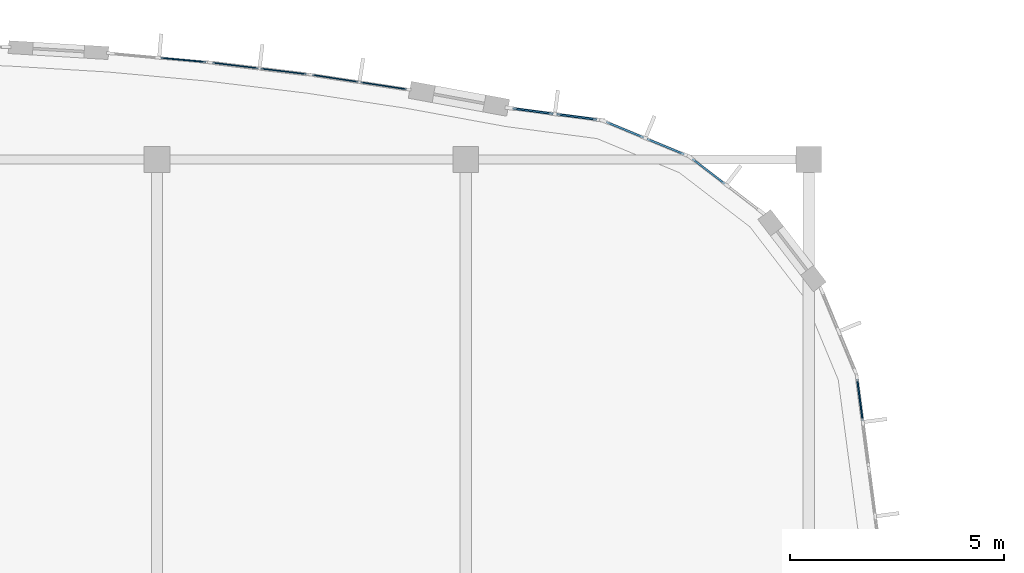
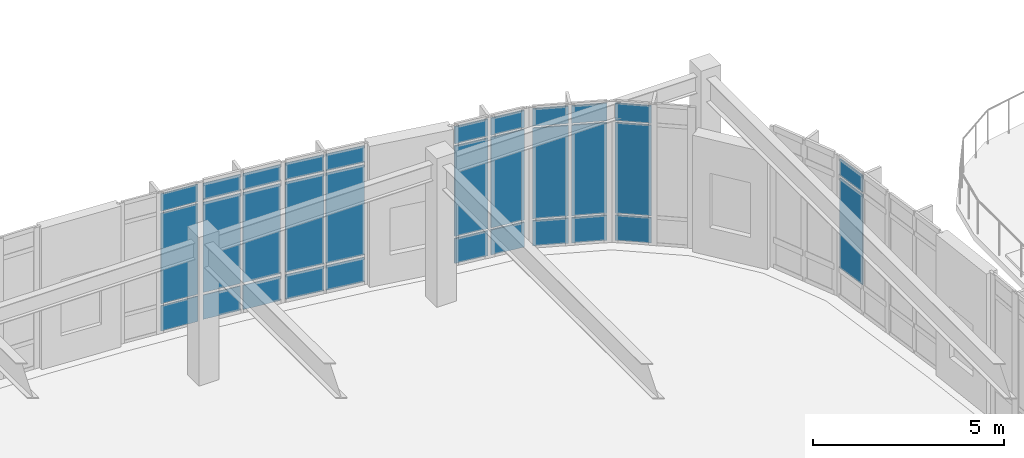
# One storey, part 79 of 120: 32 plates, 7 elements without a shape of their own.
"""IFC4 building model written with IfcOpenShell, lengths in metres."""

from ifc_helpers import new_model, si_unit, direction, frame, origin, origin_2d, place, context, subcontext, project, spatial, rectangle, extrude, material, layer, layer_set, type_object, element, aggregate, save


model = new_model("IFC4")

# Units and contexts
model_context = context("Model", 3, precision=1e-05, world=origin(), true_north=direction((0.0, 1.0)))
body_context = subcontext(model_context, "Body", "Model", "MODEL_VIEW")
ifc_project = project(units=[si_unit("LENGTHUNIT", "METRE"), si_unit("AREAUNIT", "SQUARE_METRE"), si_unit("VOLUMEUNIT", "CUBIC_METRE"), si_unit("PLANEANGLEUNIT", "RADIAN"), si_unit("MASSUNIT", "GRAM", prefix="KILO")], contexts=[model_context])

# Site, building, storey
site_placement = place(None, origin())
site = spatial("IfcSite", under=ifc_project, at=site_placement, CompositionType="ELEMENT")
building_placement = place(site_placement, origin())
building = spatial("IfcBuilding", under=site, at=building_placement, Name="Corveleigh Park Community Centre", CompositionType="ELEMENT")
storey_placement = place(building_placement, origin())
storey = spatial("IfcBuildingStorey", under=building, at=storey_placement, Name="L00", CompositionType="ELEMENT", Elevation=0.0)

# Curtain wall, plates
ifc_material_1 = material(Name="Anodised aluminium 6063-T6", Category="aluminium")
curtain_wall_type = type_object("IfcCurtainWallType", Name="CW-SYS-V2-L00", PredefinedType="NOTDEFINED", material=ifc_material_1)
curtain_wall_1_placement = place(storey_placement, origin())
curtain_wall_1 = element("IfcCurtainWall", 1, at=curtain_wall_1_placement, inside=storey, type_object=curtain_wall_type, Name="V2 L00 Curtain Wall 49", PredefinedType="NOTDEFINED")
ifc_material_2 = material(Name="Low-E double glazing", Category="glass")
ifc_layer_1 = layer(ifc_material_2, 0.02392578125, Name="Low-E double glazing", Category="glass")
ifc_layer_set_1 = layer_set([ifc_layer_1], Name="Low-E double glazing")
plate_type_1 = type_object("IfcPlateType", Name="CWP-GLZ-24", PredefinedType="CURTAIN_PANEL", material=ifc_layer_set_1)
plate_1_placement = place(storey_placement, frame((43.35986328125, 116.287841796875, 0.074951171875), z_axis=(0.0, 0.0, 1.0), x_axis=(0.988568927471, -0.150769611128, 0.0)))
plate_1 = element("IfcPlate", 2, at=plate_1_placement, type_object=plate_type_1, Name="CW03 panel 1.1", PredefinedType="CURTAIN_PANEL", context=body_context, shape_type="SweptSolid", body=[
    extrude(rectangle(XDim=1.077392578125, YDim=0.02392578125, at=origin_2d()), origin(), (0.0, 0.0, 1.0), 0.78759765625),
])
plate_2_placement = place(storey_placement, frame((43.35986328125, 116.287841796875, 0.9375), z_axis=(0.0, 0.0, 1.0), x_axis=(0.988568927471, -0.150769611128, 0.0)))
plate_2 = element("IfcPlate", 3, at=plate_2_placement, type_object=plate_type_1, Name="CW03 panel 1.2", PredefinedType="CURTAIN_PANEL", context=body_context, shape_type="SweptSolid", body=[
    extrude(rectangle(XDim=1.077392578125, YDim=0.02392578125, at=origin_2d()), origin(), (0.0, 0.0, 1.0), 2.886962890625),
])
plate_3_placement = place(storey_placement, frame((43.35986328125, 116.287841796875, 3.8994140625), z_axis=(0.0, 0.0, 1.0), x_axis=(0.988568927471, -0.150769611128, 0.0)))
plate_3 = element("IfcPlate", 4, at=plate_3_placement, type_object=plate_type_1, Name="CW03 panel 1.3", PredefinedType="CURTAIN_PANEL", context=body_context, shape_type="SweptSolid", body=[
    extrude(rectangle(XDim=1.077392578125, YDim=0.02392578125, at=origin_2d()), origin(), (0.0, 0.0, 1.0), 0.53759765625),
])
plate_4_placement = place(storey_placement, frame((44.484130859375, 116.1162109375, 0.074951171875), z_axis=(0.0, 0.0, 1.0), x_axis=(0.988568927471, -0.150769611128, 0.0)))
plate_4 = element("IfcPlate", 5, at=plate_4_placement, type_object=plate_type_1, Name="CW03 panel 2.1", PredefinedType="CURTAIN_PANEL", context=body_context, shape_type="SweptSolid", body=[
    extrude(rectangle(XDim=1.077392578125, YDim=0.02392578125, at=origin_2d()), origin(), (0.0, 0.0, 1.0), 0.78759765625),
])
plate_5_placement = place(storey_placement, frame((44.484130859375, 116.1162109375, 0.9375), z_axis=(0.0, 0.0, 1.0), x_axis=(0.988568927471, -0.150769611128, 0.0)))
plate_5 = element("IfcPlate", 6, at=plate_5_placement, type_object=plate_type_1, Name="CW03 panel 2.2", PredefinedType="CURTAIN_PANEL", context=body_context, shape_type="SweptSolid", body=[
    extrude(rectangle(XDim=1.077392578125, YDim=0.02392578125, at=origin_2d()), origin(), (0.0, 0.0, 1.0), 2.886962890625),
])
plate_6_placement = place(storey_placement, frame((44.484130859375, 116.1162109375, 3.8994140625), z_axis=(0.0, 0.0, 1.0), x_axis=(0.988568927471, -0.150769611128, 0.0)))
plate_6 = element("IfcPlate", 7, at=plate_6_placement, type_object=plate_type_1, Name="CW03 panel 2.3", PredefinedType="CURTAIN_PANEL", context=body_context, shape_type="SweptSolid", body=[
    extrude(rectangle(XDim=1.077392578125, YDim=0.02392578125, at=origin_2d()), origin(), (0.0, 0.0, 1.0), 0.53759765625),
])
aggregate(curtain_wall_1, [plate_1, plate_2, plate_3, plate_4, plate_5, plate_6])

curtain_wall_2_placement = place(storey_placement, origin())
curtain_wall_2 = element("IfcCurtainWall", 8, at=curtain_wall_2_placement, inside=storey, type_object=curtain_wall_type, Name="V2 L00 Curtain Wall 50", PredefinedType="NOTDEFINED")
plate_7_placement = place(storey_placement, frame((41.02685546875, 116.589599609375, 0.080078125), z_axis=(0.0, 0.0, 1.0), x_axis=(0.992687221046, -0.120714875524, 0.0)))
plate_7 = element("IfcPlate", 9, at=plate_7_placement, type_object=plate_type_1, Name="CW03 panel 1.1", PredefinedType="CURTAIN_PANEL", context=body_context, shape_type="SweptSolid", body=[
    extrude(rectangle(XDim=1.070556640625, YDim=0.02392578125, at=origin_2d()), origin(), (0.0, 0.0, 1.0), 0.780029296875),
])
plate_8_placement = place(storey_placement, frame((41.02685546875, 116.589599609375, 0.93994140625), z_axis=(0.0, 0.0, 1.0), x_axis=(0.992687221046, -0.120714875524, 0.0)))
plate_8 = element("IfcPlate", 10, at=plate_8_placement, type_object=plate_type_1, Name="CW03 panel 1.2", PredefinedType="CURTAIN_PANEL", context=body_context, shape_type="SweptSolid", body=[
    extrude(rectangle(XDim=1.070556640625, YDim=0.02392578125, at=origin_2d()), origin(), (0.0, 0.0, 1.0), 2.882080078125),
])
plate_9_placement = place(storey_placement, frame((41.02685546875, 116.589599609375, 3.90185546875), z_axis=(0.0, 0.0, 1.0), x_axis=(0.992687221046, -0.120714875524, 0.0)))
plate_9 = element("IfcPlate", 11, at=plate_9_placement, type_object=plate_type_1, Name="CW03 panel 1.3", PredefinedType="CURTAIN_PANEL", context=body_context, shape_type="SweptSolid", body=[
    extrude(rectangle(XDim=1.070556640625, YDim=0.02392578125, at=origin_2d()), origin(), (0.0, 0.0, 1.0), 0.530029296875),
])
plate_10_placement = place(storey_placement, frame((42.154052734375, 116.452392578125, 0.080078125), z_axis=(0.0, 0.0, 1.0), x_axis=(0.992687221046, -0.120714875524, 0.0)))
plate_10 = element("IfcPlate", 12, at=plate_10_placement, type_object=plate_type_1, Name="CW03 panel 2.1", PredefinedType="CURTAIN_PANEL", context=body_context, shape_type="SweptSolid", body=[
    extrude(rectangle(XDim=1.070556640625, YDim=0.02392578125, at=origin_2d()), origin(), (0.0, 0.0, 1.0), 0.780029296875),
])
plate_11_placement = place(storey_placement, frame((42.154052734375, 116.452392578125, 0.93994140625), z_axis=(0.0, 0.0, 1.0), x_axis=(0.992687221046, -0.120714875524, 0.0)))
plate_11 = element("IfcPlate", 13, at=plate_11_placement, type_object=plate_type_1, Name="CW03 panel 2.2", PredefinedType="CURTAIN_PANEL", context=body_context, shape_type="SweptSolid", body=[
    extrude(rectangle(XDim=1.070556640625, YDim=0.02392578125, at=origin_2d()), origin(), (0.0, 0.0, 1.0), 2.882080078125),
])
plate_12_placement = place(storey_placement, frame((42.154052734375, 116.452392578125, 3.90185546875), z_axis=(0.0, 0.0, 1.0), x_axis=(0.992687221046, -0.120714875524, 0.0)))
plate_12 = element("IfcPlate", 14, at=plate_12_placement, type_object=plate_type_1, Name="CW03 panel 2.3", PredefinedType="CURTAIN_PANEL", context=body_context, shape_type="SweptSolid", body=[
    extrude(rectangle(XDim=1.070556640625, YDim=0.02392578125, at=origin_2d()), origin(), (0.0, 0.0, 1.0), 0.530029296875),
])
aggregate(curtain_wall_2, [plate_7, plate_8, plate_9, plate_10, plate_11, plate_12])

curtain_wall_3_placement = place(storey_placement, origin())
curtain_wall_3 = element("IfcCurtainWall", 15, at=curtain_wall_3_placement, inside=storey, type_object=curtain_wall_type, Name="V2 L00 Curtain Wall 51", PredefinedType="NOTDEFINED")
ifc_layer_2 = layer(ifc_material_2, 0.028076171875, Name="Low-E double glazing", Category="glass")
ifc_layer_set_2 = layer_set([ifc_layer_2], Name="Low-E double glazing")
plate_type_2 = type_object("IfcPlateType", Name="CWP-GLZ-28", PredefinedType="CURTAIN_PANEL", material=ifc_layer_set_2)
plate_13_placement = place(storey_placement, frame((39.81396484375, 116.718505859375, 0.06005859375), z_axis=(0.0, 0.0, 1.0), x_axis=(0.995872123077, -0.090767364607, 0.0)))
plate_13 = element("IfcPlate", 16, at=plate_13_placement, type_object=plate_type_2, Name="CW03 panel 2.1", PredefinedType="CURTAIN_PANEL", context=body_context, shape_type="SweptSolid", body=[
    extrude(rectangle(XDim=1.062744140625, YDim=0.028076171875, at=origin_2d()), origin(), (0.0, 0.0, 1.0), 0.81005859375),
])
plate_14_placement = place(storey_placement, frame((39.81396484375, 116.718505859375, 0.93017578125), z_axis=(0.0, 0.0, 1.0), x_axis=(0.995872123077, -0.090767364607, 0.0)))
plate_14 = element("IfcPlate", 17, at=plate_14_placement, type_object=plate_type_2, Name="CW03 panel 2.2", PredefinedType="CURTAIN_PANEL", context=body_context, shape_type="SweptSolid", body=[
    extrude(rectangle(XDim=1.062744140625, YDim=0.028076171875, at=origin_2d()), origin(), (0.0, 0.0, 1.0), 2.902099609375),
])
plate_15_placement = place(storey_placement, frame((39.81396484375, 116.718505859375, 3.89208984375), z_axis=(0.0, 0.0, 1.0), x_axis=(0.995872123077, -0.090767364607, 0.0)))
plate_15 = element("IfcPlate", 18, at=plate_15_placement, type_object=plate_type_2, Name="CW03 panel 2.3", PredefinedType="CURTAIN_PANEL", context=body_context, shape_type="SweptSolid", body=[
    extrude(rectangle(XDim=1.062744140625, YDim=0.028076171875, at=origin_2d()), origin(), (0.0, 0.0, 1.0), 0.56005859375),
])
aggregate(curtain_wall_3, [plate_13, plate_14, plate_15])

curtain_wall_4_placement = place(storey_placement, origin())
curtain_wall_4 = element("IfcCurtainWall", 19, at=curtain_wall_4_placement, inside=storey, type_object=curtain_wall_type, Name="V2 L00 Curtain Wall 44", PredefinedType="NOTDEFINED")
ifc_layer_3 = layer(ifc_material_2, 0.035888671875, Name="Low-E double glazing", Category="glass")
ifc_layer_set_3 = layer_set([ifc_layer_3], Name="Low-E double glazing")
plate_type_3 = type_object("IfcPlateType", Name="CWP-GLZ-36", PredefinedType="CURTAIN_PANEL", material=ifc_layer_set_3)
plate_16_placement = place(storey_placement, frame((55.59033203125, 108.7919921875, 0.9375), z_axis=(0.0, 0.0, 1.0), x_axis=(0.130430498525, -0.99145745499, 0.0)))
plate_16 = element("IfcPlate", 20, at=plate_16_placement, type_object=plate_type_3, Name="CW03 panel 1.2", PredefinedType="CURTAIN_PANEL", context=body_context, shape_type="SweptSolid", body=[
    extrude(rectangle(XDim=0.979736328125, YDim=0.035888671875, at=origin_2d()), origin(), (0.0, 0.0, 1.0), 2.886962890625),
])
plate_17_placement = place(storey_placement, frame((55.59033203125, 108.7919921875, 3.8994140625), z_axis=(0.0, 0.0, 1.0), x_axis=(0.130430498525, -0.99145745499, 0.0)))
plate_17 = element("IfcPlate", 21, at=plate_17_placement, type_object=plate_type_3, Name="CW03 panel 1.3", PredefinedType="CURTAIN_PANEL", context=body_context, shape_type="SweptSolid", body=[
    extrude(rectangle(XDim=0.979736328125, YDim=0.035888671875, at=origin_2d()), origin(), (0.0, 0.0, 1.0), 0.53759765625),
])
aggregate(curtain_wall_4, [plate_16, plate_17])

curtain_wall_5_placement = place(storey_placement, origin())
curtain_wall_5 = element("IfcCurtainWall", 22, at=curtain_wall_5_placement, inside=storey, type_object=curtain_wall_type, Name="V2 L00 Curtain Wall 46", PredefinedType="NOTDEFINED")
ifc_layer_4 = layer(ifc_material_2, 0.0400390625, Name="Low-E double glazing", Category="glass")
ifc_layer_set_4 = layer_set([ifc_layer_4], Name="Low-E double glazing")
plate_type_4 = type_object("IfcPlateType", Name="CWP-GLZ-40", PredefinedType="CURTAIN_PANEL", material=ifc_layer_set_4)
plate_18_placement = place(storey_placement, frame((52.062255859375, 114.120361328125, 0.06005859375), z_axis=(0.0, 0.0, 1.0), x_axis=(0.793304053581, -0.608825655317, 0.0)))
plate_18 = element("IfcPlate", 23, at=plate_18_placement, type_object=plate_type_4, Name="CW03 panel 1.1", PredefinedType="CURTAIN_PANEL", context=body_context, shape_type="SweptSolid", body=[
    extrude(rectangle(XDim=0.95263671875, YDim=0.0400390625, at=origin_2d()), origin(), (0.0, 0.0, 1.0), 0.81005859375),
])
plate_19_placement = place(storey_placement, frame((52.062255859375, 114.120361328125, 0.93017578125), z_axis=(0.0, 0.0, 1.0), x_axis=(0.793304053581, -0.608825655317, 0.0)))
plate_19 = element("IfcPlate", 24, at=plate_19_placement, type_object=plate_type_4, Name="CW03 panel 1.2", PredefinedType="CURTAIN_PANEL", context=body_context, shape_type="SweptSolid", body=[
    extrude(rectangle(XDim=0.95263671875, YDim=0.0400390625, at=origin_2d()), origin(), (0.0, 0.0, 1.0), 2.902099609375),
])
plate_20_placement = place(storey_placement, frame((52.062255859375, 114.120361328125, 3.89208984375), z_axis=(0.0, 0.0, 1.0), x_axis=(0.793304053581, -0.608825655317, 0.0)))
plate_20 = element("IfcPlate", 25, at=plate_20_placement, type_object=plate_type_4, Name="CW03 panel 1.3", PredefinedType="CURTAIN_PANEL", context=body_context, shape_type="SweptSolid", body=[
    extrude(rectangle(XDim=0.95263671875, YDim=0.0400390625, at=origin_2d()), origin(), (0.0, 0.0, 1.0), 0.56005859375),
])
aggregate(curtain_wall_5, [plate_18, plate_19, plate_20])

curtain_wall_6_placement = place(storey_placement, origin())
curtain_wall_6 = element("IfcCurtainWall", 26, at=curtain_wall_6_placement, inside=storey, type_object=curtain_wall_type, Name="V2 L00 Curtain Wall 47", PredefinedType="NOTDEFINED")
ifc_layer_5 = layer(ifc_material_2, 0.0439453125, Name="Low-E double glazing", Category="glass")
ifc_layer_set_5 = layer_set([ifc_layer_5], Name="Low-E double glazing")
plate_type_5 = type_object("IfcPlateType", Name="CWP-GLZ-44", PredefinedType="CURTAIN_PANEL", material=ifc_layer_set_5)
plate_21_placement = place(storey_placement, frame((50.114013671875, 115.090576171875, 0.06494140625), z_axis=(0.0, 0.0, 1.0), x_axis=(0.923770494231, -0.382946568059, 0.0)))
plate_21 = element("IfcPlate", 27, at=plate_21_placement, type_object=plate_type_5, Name="CW03 panel 1.1", PredefinedType="CURTAIN_PANEL", context=body_context, shape_type="SweptSolid", body=[
    extrude(rectangle(XDim=0.944091796875, YDim=0.0439453125, at=origin_2d()), origin(), (0.0, 0.0, 1.0), 0.802490234375),
])
plate_22_placement = place(storey_placement, frame((50.114013671875, 115.090576171875, 0.9326171875), z_axis=(0.0, 0.0, 1.0), x_axis=(0.923770494231, -0.382946568059, 0.0)))
plate_22 = element("IfcPlate", 28, at=plate_22_placement, type_object=plate_type_5, Name="CW03 panel 1.2", PredefinedType="CURTAIN_PANEL", context=body_context, shape_type="SweptSolid", body=[
    extrude(rectangle(XDim=0.944091796875, YDim=0.0439453125, at=origin_2d()), origin(), (0.0, 0.0, 1.0), 2.89697265625),
])
plate_23_placement = place(storey_placement, frame((50.114013671875, 115.090576171875, 3.89453125), z_axis=(0.0, 0.0, 1.0), x_axis=(0.923770494231, -0.382946568059, 0.0)))
plate_23 = element("IfcPlate", 29, at=plate_23_placement, type_object=plate_type_5, Name="CW03 panel 1.3", PredefinedType="CURTAIN_PANEL", context=body_context, shape_type="SweptSolid", body=[
    extrude(rectangle(XDim=0.944091796875, YDim=0.0439453125, at=origin_2d()), origin(), (0.0, 0.0, 1.0), 0.552490234375),
])
plate_24_placement = place(storey_placement, frame((51.06005859375, 114.698486328125, 0.06494140625), z_axis=(0.0, 0.0, 1.0), x_axis=(0.923770494231, -0.382946568059, 0.0)))
plate_24 = element("IfcPlate", 30, at=plate_24_placement, type_object=plate_type_5, Name="CW03 panel 2.1", PredefinedType="CURTAIN_PANEL", context=body_context, shape_type="SweptSolid", body=[
    extrude(rectangle(XDim=0.944091796875, YDim=0.0439453125, at=origin_2d()), origin(), (0.0, 0.0, 1.0), 0.802490234375),
])
plate_25_placement = place(storey_placement, frame((51.06005859375, 114.698486328125, 0.9326171875), z_axis=(0.0, 0.0, 1.0), x_axis=(0.923770494231, -0.382946568059, 0.0)))
plate_25 = element("IfcPlate", 31, at=plate_25_placement, type_object=plate_type_5, Name="CW03 panel 2.2", PredefinedType="CURTAIN_PANEL", context=body_context, shape_type="SweptSolid", body=[
    extrude(rectangle(XDim=0.944091796875, YDim=0.0439453125, at=origin_2d()), origin(), (0.0, 0.0, 1.0), 2.89697265625),
])
plate_26_placement = place(storey_placement, frame((51.06005859375, 114.698486328125, 3.89453125), z_axis=(0.0, 0.0, 1.0), x_axis=(0.923770494231, -0.382946568059, 0.0)))
plate_26 = element("IfcPlate", 32, at=plate_26_placement, type_object=plate_type_5, Name="CW03 panel 2.3", PredefinedType="CURTAIN_PANEL", context=body_context, shape_type="SweptSolid", body=[
    extrude(rectangle(XDim=0.944091796875, YDim=0.0439453125, at=origin_2d()), origin(), (0.0, 0.0, 1.0), 0.552490234375),
])
aggregate(curtain_wall_6, [plate_21, plate_22, plate_23, plate_24, plate_25, plate_26])

curtain_wall_7_placement = place(storey_placement, origin())
curtain_wall_7 = element("IfcCurtainWall", 33, at=curtain_wall_7_placement, inside=storey, type_object=curtain_wall_type, Name="V2 L00 Curtain Wall 48", PredefinedType="NOTDEFINED")
plate_27_placement = place(storey_placement, frame((47.96484375, 115.52587890625, 0.070068359375), z_axis=(0.0, 0.0, 1.0), x_axis=(0.991417836118, -0.130731305458, 0.0)))
plate_27 = element("IfcPlate", 34, at=plate_27_placement, type_object=plate_type_5, Name="CW03 panel 1.1", PredefinedType="CURTAIN_PANEL", context=body_context, shape_type="SweptSolid", body=[
    extrude(rectangle(XDim=0.947265625, YDim=0.0439453125, at=origin_2d()), origin(), (0.0, 0.0, 1.0), 0.794921875),
])
plate_28_placement = place(storey_placement, frame((47.96484375, 115.52587890625, 0.93505859375), z_axis=(0.0, 0.0, 1.0), x_axis=(0.991417836118, -0.130731305458, 0.0)))
plate_28 = element("IfcPlate", 35, at=plate_28_placement, type_object=plate_type_5, Name="CW03 panel 1.2", PredefinedType="CURTAIN_PANEL", context=body_context, shape_type="SweptSolid", body=[
    extrude(rectangle(XDim=0.947265625, YDim=0.0439453125, at=origin_2d()), origin(), (0.0, 0.0, 1.0), 2.89208984375),
])
plate_29_placement = place(storey_placement, frame((47.96484375, 115.52587890625, 3.89697265625), z_axis=(0.0, 0.0, 1.0), x_axis=(0.991417836118, -0.130731305458, 0.0)))
plate_29 = element("IfcPlate", 36, at=plate_29_placement, type_object=plate_type_5, Name="CW03 panel 1.3", PredefinedType="CURTAIN_PANEL", context=body_context, shape_type="SweptSolid", body=[
    extrude(rectangle(XDim=0.947265625, YDim=0.0439453125, at=origin_2d()), origin(), (0.0, 0.0, 1.0), 0.544921875),
])
plate_30_placement = place(storey_placement, frame((48.98828125, 115.39111328125, 0.070068359375), z_axis=(0.0, 0.0, 1.0), x_axis=(0.991417836118, -0.130731305458, 0.0)))
plate_30 = element("IfcPlate", 37, at=plate_30_placement, type_object=plate_type_5, Name="CW03 panel 2.1", PredefinedType="CURTAIN_PANEL", context=body_context, shape_type="SweptSolid", body=[
    extrude(rectangle(XDim=0.947265625, YDim=0.0439453125, at=origin_2d()), origin(), (0.0, 0.0, 1.0), 0.794921875),
])
plate_31_placement = place(storey_placement, frame((48.98828125, 115.39111328125, 0.93505859375), z_axis=(0.0, 0.0, 1.0), x_axis=(0.991417836118, -0.130731305458, 0.0)))
plate_31 = element("IfcPlate", 38, at=plate_31_placement, type_object=plate_type_5, Name="CW03 panel 2.2", PredefinedType="CURTAIN_PANEL", context=body_context, shape_type="SweptSolid", body=[
    extrude(rectangle(XDim=0.947265625, YDim=0.0439453125, at=origin_2d()), origin(), (0.0, 0.0, 1.0), 2.89208984375),
])
plate_32_placement = place(storey_placement, frame((48.98828125, 115.39111328125, 3.89697265625), z_axis=(0.0, 0.0, 1.0), x_axis=(0.991417836118, -0.130731305458, 0.0)))
plate_32 = element("IfcPlate", 39, at=plate_32_placement, type_object=plate_type_5, Name="CW03 panel 2.3", PredefinedType="CURTAIN_PANEL", context=body_context, shape_type="SweptSolid", body=[
    extrude(rectangle(XDim=0.947265625, YDim=0.0439453125, at=origin_2d()), origin(), (0.0, 0.0, 1.0), 0.544921875),
])
aggregate(curtain_wall_7, [plate_27, plate_28, plate_29, plate_30, plate_31, plate_32])

save(model, "model.ifc")
